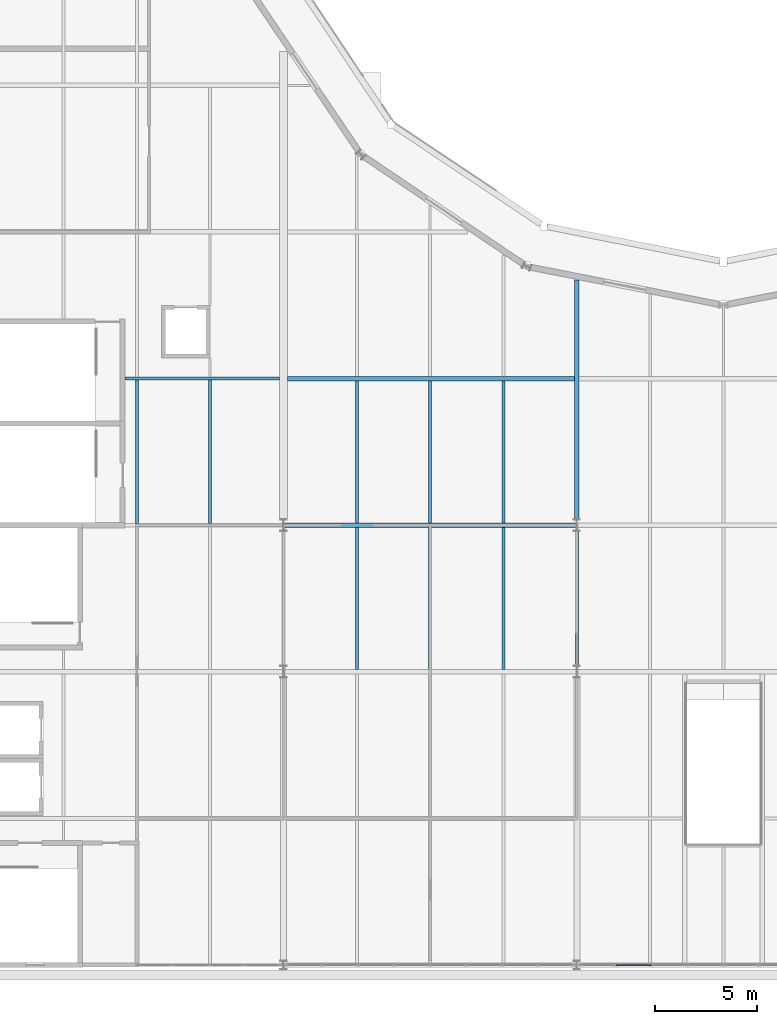
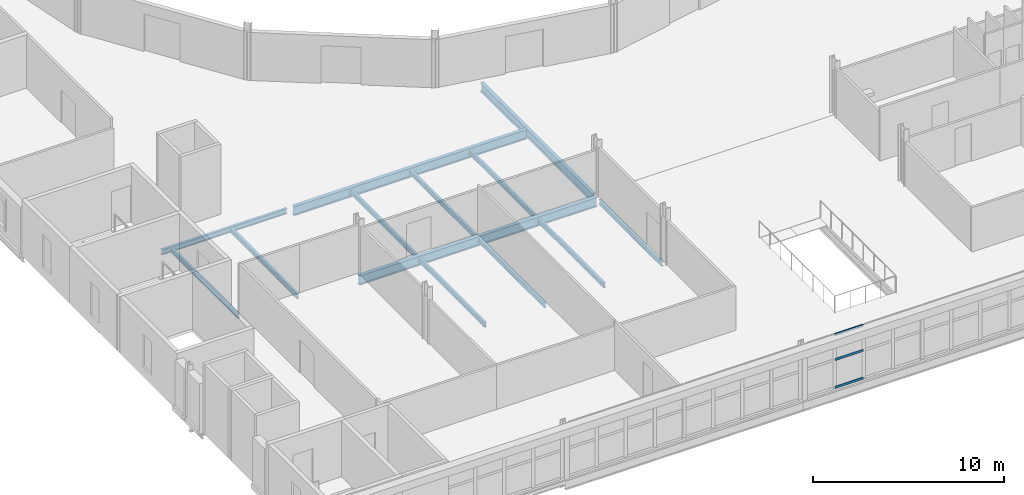
# One storey, part 24 of 142: 13 beams, 3 members, 1 element without a shape of its own.
"""IFC4 building model written with IfcOpenShell, lengths in metres."""

from ifc_helpers import new_model, si_unit, direction, frame, origin, origin_2d, place, context, subcontext, project, spatial, rectangle, i_section, extrude, material, material_profile, profile_set, type_object, element, aggregate, save


model = new_model("IFC4")

# Units and contexts
model_context = context("Model", 3, precision=1e-05, world=origin(), true_north=direction((0.0, 1.0)))
body_context = subcontext(model_context, "Body", "Model", "MODEL_VIEW")
ifc_project = project(units=[si_unit("LENGTHUNIT", "METRE"), si_unit("AREAUNIT", "SQUARE_METRE"), si_unit("VOLUMEUNIT", "CUBIC_METRE"), si_unit("PLANEANGLEUNIT", "RADIAN"), si_unit("MASSUNIT", "GRAM", prefix="KILO")], contexts=[model_context])

# Site, building, storey
site_placement = place(None, origin())
site = spatial("IfcSite", under=ifc_project, at=site_placement, CompositionType="ELEMENT")
building_placement = place(site_placement, origin())
building = spatial("IfcBuilding", under=site, at=building_placement, Name="Kupolbacken Congress Centre", CompositionType="ELEMENT")
storey_placement = place(building_placement, frame((0.0, 0.0, 14.39990234375)))
storey = spatial("IfcBuildingStorey", under=building, at=storey_placement, Name="L04", CompositionType="ELEMENT", Elevation=14.39990234375)

# Beams
ifc_material_1 = material(Name="Steel S355", Category="steel")
ifc_material_profile_1 = material_profile(ifc_material_1, i_section(OverallWidth=0.14990234375, OverallDepth=0.300048828125, WebThickness=0.007080078125, FlangeThickness=0.0107421875, FilletRadius=0.014892578125, at=origin_2d()), Name="IPE 300")
ifc_profile_set_1 = profile_set([ifc_material_profile_1], Name="Steel S355")
beam_type_1 = type_object("IfcBeamType", Name="B04 beam IPE 300", PredefinedType="BEAM", material=ifc_profile_set_1)
beam_1_placement = place(storey_placement, frame((36.0, 43.5, -0.329833984375), z_axis=(0.0, 1.0, 0.0), x_axis=(-1.0, 0.0, 0.0)))
element("IfcBeam", 1, at=beam_1_placement, inside=storey, type_object=beam_type_1, Name="S/floor/F/L04/G007", PredefinedType="BEAM", context=body_context, shape_type="SweptSolid", body=[
    extrude(i_section(OverallWidth=0.14990234375, OverallDepth=0.300048828125, WebThickness=0.007080078125, FlangeThickness=0.0107421875, FilletRadius=0.014892578125, at=origin_2d()), origin(), (0.0, 0.0, 1.0), 6.60009765625),
])
for number, where, z_axis, x_axis, name in (
    (2, (25.199951171875, 43.31005859375, -0.329833984375), (0.0, 1.0, 0.0), (-1.0, 0.0, 0.0), "S/floor/F/L04/S051"),
    (3, (28.800048828125, 43.31005859375, -0.329833984375), (0.0, 1.0, 0.0), (-1.0, 0.0, 0.0), "S/floor/F/L04/S054"),
    (4, (32.39990234375, 43.31005859375, -0.329833984375), (0.0, 1.0, 0.0), (-1.0, 0.0, 0.0), "S/floor/F/L04/S057"),
):
    element("IfcBeam", number, at=place(storey_placement, frame(where, z_axis=z_axis, x_axis=x_axis)), inside=storey, type_object=beam_type_1, Name=name, PredefinedType="BEAM", context=body_context, shape_type="SweptSolid", body=[
        extrude(i_section(OverallWidth=0.14990234375, OverallDepth=0.300048828125, WebThickness=0.007080078125, FlangeThickness=0.0107421875, FilletRadius=0.014892578125, at=origin_2d()), origin(), (0.0, 0.0, 1.0), 6.97998046875),
    ])
beam_2_placement = place(storey_placement, frame((14.39990234375, 50.48095703125, -0.329833984375), z_axis=(0.0, 1.0, 0.0), x_axis=(-1.0, 0.0, 0.0)))
element("IfcBeam", 5, at=beam_2_placement, inside=storey, type_object=beam_type_1, Name="S/floor/P/L04/S085", PredefinedType="BEAM", context=body_context, shape_type="SweptSolid", body=[
    extrude(i_section(OverallWidth=0.14990234375, OverallDepth=0.300048828125, WebThickness=0.007080078125, FlangeThickness=0.0107421875, FilletRadius=0.014892578125, at=origin_2d()), origin(), (0.0, 0.0, 1.0), 7.0390625),
])
for number, where, z_axis, x_axis, name in (
    (6, (25.199951171875, 50.510009765625, -0.329833984375), (0.0, 1.0, 0.0), (-1.0, 0.0, 0.0), "S/floor/P/L04/S096"),
    (7, (28.800048828125, 50.510009765625, -0.329833984375), (0.0, 1.0, 0.0), (-1.0, 0.0, 0.0), "S/floor/P/L04/S102"),
    (8, (32.39990234375, 50.510009765625, -0.329833984375), (0.0, 1.0, 0.0), (-1.0, 0.0, 0.0), "S/floor/P/L04/S108"),
):
    element("IfcBeam", number, at=place(storey_placement, frame(where, z_axis=z_axis, x_axis=x_axis)), inside=storey, type_object=beam_type_1, Name=name, PredefinedType="BEAM", context=body_context, shape_type="SweptSolid", body=[
        extrude(i_section(OverallWidth=0.14990234375, OverallDepth=0.300048828125, WebThickness=0.007080078125, FlangeThickness=0.0107421875, FilletRadius=0.014892578125, at=origin_2d()), origin(), (0.0, 0.0, 1.0), 6.97998046875),
    ])
beam_3_placement = place(storey_placement, frame((18.0, 50.48095703125, -0.329833984375), z_axis=(0.0, 1.0, 0.0), x_axis=(-1.0, 0.0, 0.0)))
element("IfcBeam", 9, at=beam_3_placement, inside=storey, type_object=beam_type_1, Name="S/floor/P/L04/S161", PredefinedType="BEAM", context=body_context, shape_type="SweptSolid", body=[
    extrude(i_section(OverallWidth=0.14990234375, OverallDepth=0.300048828125, WebThickness=0.007080078125, FlangeThickness=0.0107421875, FilletRadius=0.014892578125, at=origin_2d()), origin(), (0.0, 0.0, 1.0), 7.0390625),
])
ifc_material_2 = material(Name="Steel S355", Category="steel")
ifc_material_profile_2 = material_profile(ifc_material_2, i_section(OverallWidth=0.159912109375, OverallDepth=0.330078125, WebThickness=0.007568359375, FlangeThickness=0.011474609375, FilletRadius=0.01806640625, at=origin_2d()), Name="IPE 330")
ifc_profile_set_2 = profile_set([ifc_material_profile_2], Name="Steel S355")
beam_type_2 = type_object("IfcBeamType", Name="B05 beam IPE 330", PredefinedType="BEAM", material=ifc_profile_set_2)
beam_4_placement = place(storey_placement, frame((13.824951171875, 57.60009765625, -0.344970703125), z_axis=(1.0, 0.0, 0.0), x_axis=(0.0, 1.0, 0.0)))
element("IfcBeam", 10, at=beam_4_placement, inside=storey, type_object=beam_type_2, Name="S/floor/P/L04/R038", PredefinedType="BEAM", context=body_context, shape_type="SweptSolid", body=[
    extrude(i_section(OverallWidth=0.159912109375, OverallDepth=0.330078125, WebThickness=0.007568359375, FlangeThickness=0.011474609375, FilletRadius=0.01806640625, at=origin_2d()), origin(), (0.0, 0.0, 1.0), 7.574951171875),
])
ifc_material_3 = material(Name="Steel S355", Category="steel")
ifc_material_profile_3 = material_profile(ifc_material_3, i_section(OverallWidth=0.2099609375, OverallDepth=0.550048828125, WebThickness=0.010986328125, FlangeThickness=0.01708984375, FilletRadius=0.02392578125, at=origin_2d()), Name="IPE 550")
ifc_profile_set_3 = profile_set([ifc_material_profile_3], Name="Steel S355")
beam_type_3 = type_object("IfcBeamType", Name="B10 beam IPE 550", PredefinedType="BEAM", material=ifc_profile_set_3)
beam_5_placement = place(storey_placement, frame((36.0, 50.699951171875, -0.454833984375), z_axis=(0.0, 1.0, 0.0), x_axis=(-1.0, 0.0, 0.0)))
element("IfcBeam", 11, at=beam_5_placement, inside=storey, type_object=beam_type_3, Name="S/floor/P/L04/G025", PredefinedType="BEAM", context=body_context, shape_type="SweptSolid", body=[
    extrude(i_section(OverallWidth=0.2099609375, OverallDepth=0.550048828125, WebThickness=0.010986328125, FlangeThickness=0.01708984375, FilletRadius=0.02392578125, at=origin_2d()), origin(), (0.0, 0.0, 1.0), 11.744140625),
])
ifc_material_4 = material(Name="Steel S355", Category="steel")
ifc_material_profile_4 = material_profile(ifc_material_4, i_section(OverallWidth=0.219970703125, OverallDepth=0.60009765625, WebThickness=0.011962890625, FlangeThickness=0.01904296875, FilletRadius=0.02392578125, at=origin_2d()), Name="IPE 600")
ifc_profile_set_4 = profile_set([ifc_material_profile_4], Name="Steel S355")
beam_type_4 = type_object("IfcBeamType", Name="B11 beam IPE 600", PredefinedType="BEAM", material=ifc_profile_set_4)
beam_6_placement = place(storey_placement, frame((21.607666015625, 50.39990234375, -0.47998046875), z_axis=(1.0, 0.0, 0.0), x_axis=(0.0, 1.0, 0.0)))
element("IfcBeam", 12, at=beam_6_placement, inside=storey, type_object=beam_type_4, Name="S/floor/F/L04/R026", PredefinedType="BEAM", context=body_context, shape_type="SweptSolid", body=[
    extrude(i_section(OverallWidth=0.219970703125, OverallDepth=0.60009765625, WebThickness=0.011962890625, FlangeThickness=0.01904296875, FilletRadius=0.02392578125, at=origin_2d()), origin(), (0.0, 0.0, 1.0), 14.384521484375),
])
beam_7_placement = place(storey_placement, frame((21.800048828125, 57.60009765625, -0.47998046875), z_axis=(1.0, 0.0, 0.0), x_axis=(0.0, 1.0, 0.0)))
element("IfcBeam", 13, at=beam_7_placement, inside=storey, type_object=beam_type_4, Name="S/floor/P/L04/R039", PredefinedType="BEAM", context=body_context, shape_type="SweptSolid", body=[
    extrude(i_section(OverallWidth=0.219970703125, OverallDepth=0.60009765625, WebThickness=0.011962890625, FlangeThickness=0.01904296875, FilletRadius=0.02392578125, at=origin_2d()), origin(), (0.0, 0.0, 1.0), 14.094970703125),
])

# Curtain wall, members
ifc_material_5 = material(Name="Aluminium mullion-transom frame with glass", Category="aluminium")
curtain_wall_type = type_object("IfcCurtainWallType", Name="CW1 curtain wall 7200x3600", PredefinedType="NOTDEFINED", material=ifc_material_5)
curtain_wall_placement = place(storey_placement, origin())
curtain_wall = element("IfcCurtainWall", 14, at=curtain_wall_placement, inside=storey, type_object=curtain_wall_type, Name="E/F/S/L04/416", PredefinedType="NOTDEFINED")
ifc_material_6 = material(Name="Aluminium alloy", Category="aluminium")
ifc_material_profile_5 = material_profile(ifc_material_6, rectangle(XDim=0.050048828125, YDim=0.14990234375, at=origin_2d()), Name="50 x 150")
ifc_profile_set_5 = profile_set([ifc_material_profile_5], Name="Aluminium alloy")
member_type = type_object("IfcMemberType", Name="TR2 transom 50x150", PredefinedType="MULLION", material=ifc_profile_set_5)
member_1_placement = place(storey_placement, frame((37.9375, 28.800048828125, 0.025146484375), z_axis=(1.0, 0.0, 0.0), x_axis=(0.0, 1.0, 0.0)))
member_1 = element("IfcMember", 15, at=member_1_placement, type_object=member_type, Name="CW1 transom 2.1", PredefinedType="MULLION", context=body_context, shape_type="SweptSolid", body=[
    extrude(rectangle(XDim=0.050048828125, YDim=0.14990234375, at=origin_2d()), origin(), (0.0, 0.0, 1.0), 1.71240234375),
])
member_2_placement = place(storey_placement, frame((37.9375, 28.800048828125, 1.800048828125), z_axis=(1.0, 0.0, 0.0), x_axis=(0.0, 1.0, 0.0)))
member_2 = element("IfcMember", 16, at=member_2_placement, type_object=member_type, Name="CW1 transom 2.2", PredefinedType="MULLION", context=body_context, shape_type="SweptSolid", body=[
    extrude(rectangle(XDim=0.050048828125, YDim=0.14990234375, at=origin_2d()), origin(), (0.0, 0.0, 1.0), 1.71240234375),
])
member_3_placement = place(storey_placement, frame((37.9375, 28.800048828125, 3.39501953125), z_axis=(1.0, 0.0, 0.0), x_axis=(0.0, 1.0, 0.0)))
member_3 = element("IfcMember", 17, at=member_3_placement, type_object=member_type, Name="CW1 transom 2.3", PredefinedType="MULLION", context=body_context, shape_type="SweptSolid", body=[
    extrude(rectangle(XDim=0.050048828125, YDim=0.14990234375, at=origin_2d()), origin(), (0.0, 0.0, 1.0), 1.71240234375),
])
aggregate(curtain_wall, [member_1, member_2, member_3])

save(model, "model.ifc")
